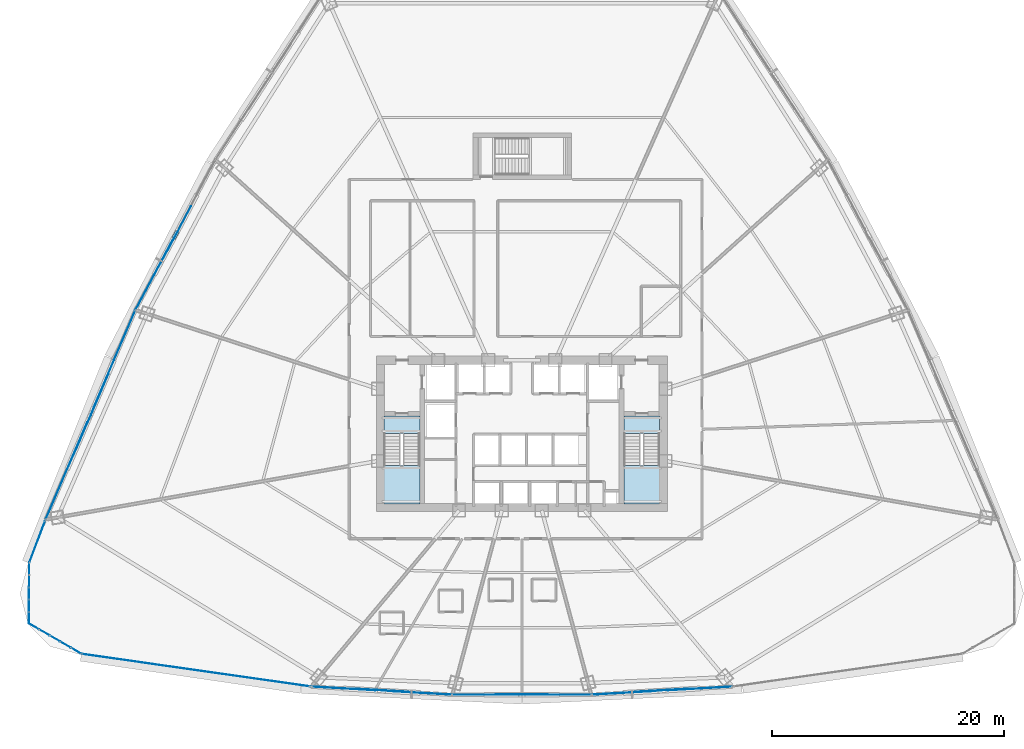
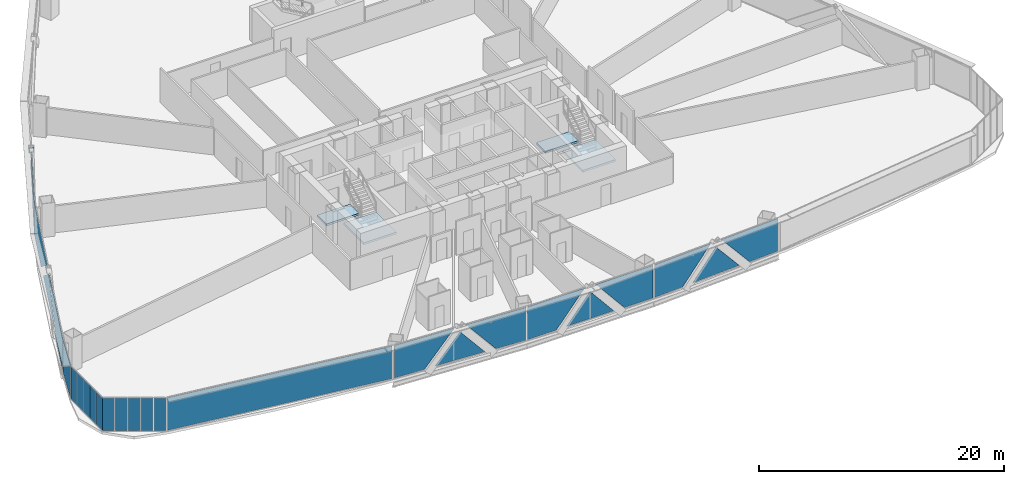
# One storey, part 28 of 40: 27 plates, 4 slabs, 11 elements without a shape of their own.
"""IFC4 building model written with IfcOpenShell, lengths in metres."""

from ifc_helpers import new_model, si_unit, direction, frame, origin, origin_2d, place, context, subcontext, project, spatial, polyline, rectangle, outline, extrude, source, transform, mapped, material, layer, layer_set, type_object, element, aggregate, save


model = new_model("IFC4")

# Units and contexts
model_context = context("Model", 3, precision=1e-05, world=origin(), true_north=direction((0.0, 1.0)))
body_context = subcontext(model_context, "Body", "Model", "MODEL_VIEW")
ifc_project = project(units=[si_unit("LENGTHUNIT", "METRE"), si_unit("AREAUNIT", "SQUARE_METRE"), si_unit("VOLUMEUNIT", "CUBIC_METRE"), si_unit("PLANEANGLEUNIT", "RADIAN"), si_unit("MASSUNIT", "GRAM", prefix="KILO"), si_unit("THERMODYNAMICTEMPERATUREUNIT", "KELVIN"), si_unit("POWERUNIT", "WATT")], contexts=[model_context])

# Site, building, storey
site_placement = place(None, origin())
site = spatial("IfcSite", under=ifc_project, at=site_placement, CompositionType="ELEMENT")
building_placement = place(site_placement, origin())
building = spatial("IfcBuilding", under=site, at=building_placement, Name="Yunzhuo Pagoda Commons", CompositionType="ELEMENT")
storey_placement = place(building_placement, frame((0.0, 0.0, 66.699951171875)))
storey = spatial("IfcBuildingStorey", under=building, at=storey_placement, Name="L17", CompositionType="ELEMENT", Elevation=66.699951171875)

# Curtain wall, plates
ifc_material_1 = material(Name="Anodized aluminium 6063-T6", Category="aluminium")
ifc_layer_1 = layer(ifc_material_1, 0.1650390625)
ifc_layer_set_1 = layer_set([ifc_layer_1], Name="Anodized aluminium 6063-T6")
curtain_wall_type_1 = type_object("IfcCurtainWallType", Name="CW-LOW Low-Zone Ribbon Curtain Wall", PredefinedType="NOTDEFINED", material=ifc_layer_set_1)
curtain_wall_1_placement = place(storey_placement, origin())
curtain_wall_1 = element("IfcCurtainWall", 1, at=curtain_wall_1_placement, inside=storey, type_object=curtain_wall_type_1, Name="L17 curtain wall CW-L17-F1B2", PredefinedType="NOTDEFINED")
ifc_material_2 = material(Name="Tempered low-e double glazing", Category="glass")
ifc_layer_2 = layer(ifc_material_2, 0.028076171875)
ifc_layer_set_2 = layer_set([ifc_layer_2], Name="Tempered low-e double glazing")
plate_type_1 = type_object("IfcPlateType", Name="CW-LOW-P Low-E Double Glazing 28", PredefinedType="CURTAIN_PANEL", material=ifc_layer_set_2)
plate_1_placement = place(storey_placement, frame((32.631103515625, 11.892333984375, 1.68505859375), z_axis=(-0.057542190557, -0.998343075454, 0.0), x_axis=(0.998343075454, -0.057542190557, 0.0)))
plate_1 = element("IfcPlate", 2, at=plate_1_placement, type_object=plate_type_1, Name="CW panel 1.1 lite 1", PredefinedType="CURTAIN_PANEL", context=body_context, shape_type="SweptSolid", body=[
    extrude(outline(polyline([(-2.744873046875, -1.625), (0.013427734375, -1.625), (2.744873046875, 1.625), (-2.744873046875, 1.625), (-2.744873046875, -1.625)])), origin(), (0.0, 0.0, 1.0), 0.028076171875),
])
plate_2_placement = place(storey_placement, frame((35.9189453125, 11.73291015625, 1.419677734375), z_axis=(-0.057542190557, -0.998343075454, 0.0), x_axis=(0.998343075454, -0.057542190557, 0.0)))
plate_2 = element("IfcPlate", 3, at=plate_2_placement, type_object=plate_type_1, Name="CW panel 1.1 lite 2", PredefinedType="CURTAIN_PANEL", context=body_context, shape_type="SweptSolid", body=[
    extrude(outline(polyline([(-2.285400390625, -1.359619140625), (2.285400390625, -1.359619140625), (0.0, 1.359619140625), (-2.285400390625, -1.359619140625)])), origin(), (0.0, 0.0, 1.0), 0.028076171875),
])
plate_3_placement = place(storey_placement, frame((39.20361328125, 11.513427734375, 1.68505859375), z_axis=(-0.057542190557, -0.998343075454, 0.0), x_axis=(0.998343075454, -0.057542190557, 0.0)))
plate_3 = element("IfcPlate", 4, at=plate_3_placement, type_object=plate_type_1, Name="CW panel 1.1 lite 3", PredefinedType="CURTAIN_PANEL", context=body_context, shape_type="SweptSolid", body=[
    extrude(outline(polyline([(-2.744873046875, 1.625), (-0.013427734375, -1.625), (2.744873046875, -1.625), (2.744873046875, 1.625), (-2.744873046875, 1.625)])), origin(), (0.0, 0.0, 1.0), 0.028076171875),
])
aggregate(curtain_wall_1, [plate_1, plate_2, plate_3])

curtain_wall_2_placement = place(storey_placement, origin())
curtain_wall_2 = element("IfcCurtainWall", 5, at=curtain_wall_2_placement, inside=storey, type_object=curtain_wall_type_1, Name="L17 curtain wall CW-L17-F1B3", PredefinedType="NOTDEFINED")
plate_4_placement = place(storey_placement, frame((44.765380859375, 11.35205078125, 1.68505859375), z_axis=(0.0, -1.0, 0.0), x_axis=(1.0, 0.0, 0.0)))
plate_4 = element("IfcPlate", 6, at=plate_4_placement, type_object=plate_type_1, Name="CW panel 1.1 lite 1", PredefinedType="CURTAIN_PANEL", context=body_context, shape_type="SweptSolid", body=[
    extrude(outline(polyline([(-2.6923828125, -1.625), (0.010009765625, -1.625), (2.6923828125, 1.625), (-2.6923828125, 1.625), (-2.6923828125, -1.625)])), origin(), (0.0, 0.0, 1.0), 0.028076171875),
])
plate_5_placement = place(storey_placement, frame((48.0, 11.3818359375, 1.41650390625), z_axis=(0.0, -1.0, 0.0), x_axis=(1.0, 0.0, 0.0)))
plate_5 = element("IfcPlate", 7, at=plate_5_placement, type_object=plate_type_1, Name="CW panel 1.1 lite 2", PredefinedType="CURTAIN_PANEL", context=body_context, shape_type="SweptSolid", body=[
    extrude(outline(polyline([(-2.2392578125, -1.3564453125), (2.2392578125, -1.3564453125), (0.0, 1.3564453125), (-2.2392578125, -1.3564453125)])), origin(), (0.0, 0.0, 1.0), 0.028076171875),
])
plate_6_placement = place(storey_placement, frame((51.234619140625, 11.35205078125, 1.68505859375), z_axis=(0.0, -1.0, 0.0), x_axis=(1.0, 0.0, 0.0)))
plate_6 = element("IfcPlate", 8, at=plate_6_placement, type_object=plate_type_1, Name="CW panel 1.1 lite 3", PredefinedType="CURTAIN_PANEL", context=body_context, shape_type="SweptSolid", body=[
    extrude(outline(polyline([(-2.6923828125, 1.625), (-0.010009765625, -1.625), (2.6923828125, -1.625), (2.6923828125, 1.625), (-2.6923828125, 1.625)])), origin(), (0.0, 0.0, 1.0), 0.028076171875),
])
aggregate(curtain_wall_2, [plate_4, plate_5, plate_6])

curtain_wall_3_placement = place(storey_placement, origin())
curtain_wall_3 = element("IfcCurtainWall", 9, at=curtain_wall_3_placement, inside=storey, type_object=curtain_wall_type_1, Name="L17 curtain wall CW-L17-F1B4", PredefinedType="NOTDEFINED")
plate_7_placement = place(storey_placement, frame((56.79638671875, 11.513427734375, 1.68505859375), z_axis=(0.057542190557, -0.998343075454, 0.0), x_axis=(0.998343075454, 0.057542190557, 0.0)))
plate_7 = element("IfcPlate", 10, at=plate_7_placement, type_object=plate_type_1, Name="CW panel 1.1 lite 1", PredefinedType="CURTAIN_PANEL", context=body_context, shape_type="SweptSolid", body=[
    extrude(outline(polyline([(-2.744873046875, -1.625), (0.013427734375, -1.625), (2.744873046875, 1.625), (-2.744873046875, 1.625), (-2.744873046875, -1.625)])), origin(), (0.0, 0.0, 1.0), 0.028076171875),
])
plate_8_placement = place(storey_placement, frame((60.080810546875, 11.732666015625, 1.419677734375), z_axis=(0.057542190557, -0.998343075454, 0.0), x_axis=(0.998343075454, 0.057542190557, 0.0)))
plate_8 = element("IfcPlate", 11, at=plate_8_placement, type_object=plate_type_1, Name="CW panel 1.1 lite 2", PredefinedType="CURTAIN_PANEL", context=body_context, shape_type="SweptSolid", body=[
    extrude(outline(polyline([(-2.285400390625, -1.359619140625), (2.285400390625, -1.359619140625), (0.0, 1.359619140625), (-2.285400390625, -1.359619140625)])), origin(), (0.0, 0.0, 1.0), 0.028076171875),
])
plate_9_placement = place(storey_placement, frame((63.368896484375, 11.892333984375, 1.68505859375), z_axis=(0.057542190557, -0.998343075454, 0.0), x_axis=(0.998343075454, 0.057542190557, 0.0)))
plate_9 = element("IfcPlate", 12, at=plate_9_placement, type_object=plate_type_1, Name="CW panel 1.1 lite 3", PredefinedType="CURTAIN_PANEL", context=body_context, shape_type="SweptSolid", body=[
    extrude(outline(polyline([(-2.744873046875, 1.625), (-0.013427734375, -1.625), (2.744873046875, -1.625), (2.744873046875, 1.625), (-2.744873046875, 1.625)])), origin(), (0.0, 0.0, 1.0), 0.028076171875),
])
aggregate(curtain_wall_3, [plate_7, plate_8, plate_9])

curtain_wall_4_placement = place(storey_placement, origin())
curtain_wall_4 = element("IfcCurtainWall", 13, at=curtain_wall_4_placement, inside=storey, type_object=curtain_wall_type_1, Name="L17 curtain wall CW-L17-F3B3", PredefinedType="NOTDEFINED")
plate_10_placement = place(storey_placement, frame((18.157470703125, 50.9931640625, 1.447998046875), z_axis=(-0.882636758547, 0.470055690808, 0.0), x_axis=(-0.470055690808, -0.882636758547, 0.0)))
plate_10 = element("IfcPlate", 14, at=plate_10_placement, type_object=plate_type_1, Name="CW panel 1.1 lite 2", PredefinedType="CURTAIN_PANEL", context=body_context, shape_type="SweptSolid", body=[
    extrude(outline(polyline([(-2.80810546875, -1.387939453125), (2.80810546875, -1.387939453125), (0.0, 1.387939453125), (-2.80810546875, -1.387939453125)])), origin(), (0.0, 0.0, 1.0), 0.028076171875),
])
plate_11_placement = place(storey_placement, frame((16.278564453125, 47.529052734375, 1.68505859375), z_axis=(-0.882636758547, 0.470055690808, 0.0), x_axis=(-0.470055690808, -0.882636758547, 0.0)))
plate_11 = element("IfcPlate", 15, at=plate_11_placement, type_object=plate_type_1, Name="CW panel 1.1 lite 3", PredefinedType="CURTAIN_PANEL", context=body_context, shape_type="SweptSolid", body=[
    extrude(outline(polyline([(-3.33935546875, 1.625), (-0.05126953125, -1.625), (3.33935546875, -1.625), (3.33935546875, 1.625), (-3.33935546875, 1.625)])), origin(), (0.0, 0.0, 1.0), 0.028076171875),
])
aggregate(curtain_wall_4, [plate_10, plate_11])

curtain_wall_5_placement = place(storey_placement, origin())
curtain_wall_5 = element("IfcCurtainWall", 16, at=curtain_wall_5_placement, inside=storey, type_object=curtain_wall_type_1, Name="L17 curtain wall CW-L17-F3B4", PredefinedType="NOTDEFINED")
plate_12_placement = place(storey_placement, frame((12.87109375, 40.30810546875, 1.68505859375), z_axis=(-0.919121093161, 0.39397514656, 0.0), x_axis=(-0.39397514656, -0.919121093161, 0.0)))
plate_12 = element("IfcPlate", 17, at=plate_12_placement, type_object=plate_type_1, Name="CW panel 1.1 lite 1", PredefinedType="CURTAIN_PANEL", context=body_context, shape_type="SweptSolid", body=[
    extrude(outline(polyline([(-4.523193359375, -1.625), (0.12158203125, -1.625), (4.523193359375, 1.625), (-4.523193359375, 1.625), (-4.523193359375, -1.625)])), origin(), (0.0, 0.0, 1.0), 0.028076171875),
])
plate_13_placement = place(storey_placement, frame((10.83251953125, 35.47607421875, 1.478759765625), z_axis=(-0.919121093161, 0.39397514656, 0.0), x_axis=(-0.39397514656, -0.919121093161, 0.0)))
plate_13 = element("IfcPlate", 18, at=plate_13_placement, type_object=plate_type_1, Name="CW panel 1.1 lite 2", PredefinedType="CURTAIN_PANEL", context=body_context, shape_type="SweptSolid", body=[
    extrude(outline(polyline([(-3.84326171875, -1.418701171875), (3.84326171875, -1.418701171875), (0.0, 1.418701171875), (-3.84326171875, -1.418701171875)])), origin(), (0.0, 0.0, 1.0), 0.028076171875),
])
plate_14_placement = place(storey_placement, frame((8.739013671875, 30.667724609375, 1.68505859375), z_axis=(-0.919121093161, 0.39397514656, 0.0), x_axis=(-0.39397514656, -0.919121093161, 0.0)))
plate_14 = element("IfcPlate", 19, at=plate_14_placement, type_object=plate_type_1, Name="CW panel 1.1 lite 3", PredefinedType="CURTAIN_PANEL", context=body_context, shape_type="SweptSolid", body=[
    extrude(outline(polyline([(-4.523193359375, 1.625), (-0.12158203125, -1.625), (4.523193359375, -1.625), (4.523193359375, 1.625), (-4.523193359375, 1.625)])), origin(), (0.0, 0.0, 1.0), 0.028076171875),
])
aggregate(curtain_wall_5, [plate_12, plate_13, plate_14])

# Stair, slabs
ifc_material_3 = material(Name="Concrete C40", Category="concrete")
stair_type_1 = type_object("IfcStairType", Name="ST-C1 Core Smokeproof Stair ST1", PredefinedType="HALF_TURN_STAIR", material=ifc_material_3)
stair_1_placement = place(storey_placement, origin())
stair_1 = element("IfcStair", 20, at=stair_1_placement, inside=storey, type_object=stair_type_1, Name="L17 Core smokeproof stair ST1", PredefinedType="HALF_TURN_STAIR")
ifc_layer_3 = layer(ifc_material_3, 0.199951171875)
ifc_layer_set_3 = layer_set([ifc_layer_3], Name="Concrete C40")
slab_type_1 = type_object("IfcSlabType", Name="SL-LND1 Stair Landing Slab 200", PredefinedType="LANDING", material=ifc_layer_set_3)
slab_1_placement = place(storey_placement, frame((0.0, 0.0, 1.614990234375)))
slab_1 = element("IfcSlab", 21, at=slab_1_placement, type_object=slab_type_1, Name="ST1 landing 1", PredefinedType="LANDING", context=body_context, shape_type="SweptSolid", body=[
    extrude(outline(polyline([(36.10009765625, 31.10009765625), (36.10009765625, 27.800048828125), (39.199951171875, 27.800048828125), (39.199951171875, 31.10009765625), (36.10009765625, 31.10009765625)])), origin(), (0.0, 0.0, 1.0), 0.199951171875),
])
slab_2_placement = place(storey_placement, frame((0.0, 0.0, -0.199951171875)))
slab_2 = element("IfcSlab", 22, at=slab_2_placement, type_object=slab_type_1, Name="ST1 floor landing L17", PredefinedType="LANDING", context=body_context, shape_type="SweptSolid", body=[
    extrude(outline(polyline([(36.10009765625, 35.39990234375), (36.10009765625, 33.89990234375), (39.199951171875, 33.89990234375), (39.199951171875, 35.39990234375), (36.10009765625, 35.39990234375)])), origin(), (0.0, 0.0, 1.0), 0.199951171875),
])
aggregate(stair_1, [slab_1, slab_2])

stair_type_2 = type_object("IfcStairType", Name="ST-C2 Core Smokeproof Stair ST2", PredefinedType="HALF_TURN_STAIR", material=ifc_material_3)
stair_2_placement = place(storey_placement, origin())
stair_2 = element("IfcStair", 23, at=stair_2_placement, inside=storey, type_object=stair_type_2, Name="L17 Core smokeproof stair ST2", PredefinedType="HALF_TURN_STAIR")
ifc_layer_4 = layer(ifc_material_3, 0.201904296875)
ifc_layer_set_4 = layer_set([ifc_layer_4], Name="Concrete C40")
slab_type_2 = type_object("IfcSlabType", Name="SL-LND2 Stair Landing Slab 202", PredefinedType="LANDING", material=ifc_layer_set_4)
slab_3_placement = place(storey_placement, frame((0.0, 0.0, 1.614990234375)))
slab_3 = element("IfcSlab", 24, at=slab_3_placement, type_object=slab_type_2, Name="ST2 landing 1", PredefinedType="LANDING", context=body_context, shape_type="SweptSolid", body=[
    extrude(outline(polyline([(56.800048828125, 31.10009765625), (56.800048828125, 27.800048828125), (59.89990234375, 27.800048828125), (59.89990234375, 31.10009765625), (56.800048828125, 31.10009765625)])), origin(), (0.0, 0.0, 1.0), 0.199951171875),
])
slab_4_placement = place(storey_placement, frame((0.0, 0.0, -0.199951171875)))
slab_4 = element("IfcSlab", 25, at=slab_4_placement, type_object=slab_type_2, Name="ST2 floor landing L17", PredefinedType="LANDING", context=body_context, shape_type="SweptSolid", body=[
    extrude(outline(polyline([(56.800048828125, 35.39990234375), (56.800048828125, 33.89990234375), (59.89990234375, 33.89990234375), (59.89990234375, 35.39990234375), (56.800048828125, 35.39990234375)])), origin(), (0.0, 0.0, 1.0), 0.199951171875),
])
aggregate(stair_2, [slab_3, slab_4])

# Plate
ifc_material_4 = material(Name="Structural steel Q355B", Category="steel")
ifc_layer_5 = layer(ifc_material_4, 0.028076171875)
ifc_layer_set_5 = layer_set([ifc_layer_5], Name="Structural steel Q355B")
plate_type_2 = type_object("IfcPlateType", Name="SP-ND1 Lattice Node Cap Plate 800x500x28", PredefinedType="USERDEFINED", material=ifc_layer_set_5)
shared_shape_1 = source(origin(), body_context, "Body", "SweptSolid", [
    extrude(rectangle(XDim=0.699951171875, YDim=0.35009765625, at=origin_2d()), origin(), (0.0, 0.0, 1.0), 0.035888671875),
])
plate_15_placement = place(storey_placement, frame((18.118408203125, 51.013916015625, 3.33203125), z_axis=(0.0, 0.0, 1.0), x_axis=(-0.47005705251, -0.88263603336, 0.0)))
element("IfcPlate", 26, at=plate_15_placement, inside=storey, type_object=plate_type_2, Name="L17 setback lattice tie plate F3.2L", ObjectType="STIFFENER_PLATE", PredefinedType="USERDEFINED", context=body_context, shape_type="MappedRepresentation", body=[
    mapped(shared_shape_1, transform((0.0, 0.0, 0.0), scale=1.0)),
])

# Curtain wall, plate
curtain_wall_6_placement = place(storey_placement, origin())
curtain_wall_6 = element("IfcCurtainWall", 27, at=curtain_wall_6_placement, inside=storey, type_object=curtain_wall_type_1, Name="L17 curtain wall CW-L17-F1B1", PredefinedType="NOTDEFINED")
shared_shape_2 = source(origin(), body_context, "Body", "SweptSolid", [
    extrude(rectangle(XDim=19.814697265625, YDim=0.028076171875, at=origin_2d()), origin(), (0.0, 0.0, 1.0), 3.25),
])
plate_16_placement = place(storey_placement, frame((19.87841796875, 13.4580078125, 0.06005859375), z_axis=(0.0, 0.0, 1.0), x_axis=(0.989989664719, -0.141139872999, 0.0)))
plate_16 = element("IfcPlate", 28, at=plate_16_placement, type_object=plate_type_1, Name="CW panel 1.1", PredefinedType="CURTAIN_PANEL", context=body_context, shape_type="MappedRepresentation", body=[
    mapped(shared_shape_2, transform((0.0, 0.0, 0.0), scale=1.0)),
])
aggregate(curtain_wall_6, [plate_16])

curtain_wall_7_placement = place(storey_placement, origin())
curtain_wall_7 = element("IfcCurtainWall", 29, at=curtain_wall_7_placement, inside=storey, type_object=curtain_wall_type_1, Name="L17 curtain wall CW-L17-F3B5", PredefinedType="NOTDEFINED")
shared_shape_3 = source(origin(), body_context, "Body", "SweptSolid", [
    extrude(rectangle(XDim=3.80126953125, YDim=0.028076171875, at=origin_2d()), origin(), (0.0, 0.0, 1.0), 3.25),
])
plate_17_placement = place(storey_placement, frame((6.197265625, 24.547119140625, 0.06005859375), z_axis=(0.0, 0.0, 1.0), x_axis=(-0.353291245367, -0.9355133863, 0.0)))
plate_17 = element("IfcPlate", 30, at=plate_17_placement, type_object=plate_type_1, Name="CW panel 1.1", PredefinedType="CURTAIN_PANEL", context=body_context, shape_type="MappedRepresentation", body=[
    mapped(shared_shape_3, transform((0.0, 0.0, 0.0), scale=1.0)),
])
aggregate(curtain_wall_7, [plate_17])

# Curtain wall, plates
ifc_layer_6 = layer(ifc_material_1, 0.1298828125)
ifc_layer_set_6 = layer_set([ifc_layer_6], Name="Anodized aluminium 6063-T6")
curtain_wall_type_2 = type_object("IfcCurtainWallType", Name="CW-VTX Rounded Corner Curtain Wall", PredefinedType="NOTDEFINED", material=ifc_layer_set_6)
curtain_wall_8_placement = place(storey_placement, origin())
curtain_wall_8 = element("IfcCurtainWall", 31, at=curtain_wall_8_placement, inside=storey, type_object=curtain_wall_type_2, Name="L17 curtain wall CW-L17-VTX1S1", PredefinedType="NOTDEFINED")
ifc_layer_7 = layer(ifc_material_2, 0.02587890625)
ifc_layer_set_7 = layer_set([ifc_layer_7], Name="Tempered low-e double glazing")
plate_type_3 = type_object("IfcPlateType", Name="CW-VTX-P Low-E Double Glazing 26", PredefinedType="CURTAIN_PANEL", material=ifc_layer_set_7)
shared_shape_4 = source(origin(), body_context, "Body", "SweptSolid", [
    extrude(rectangle(XDim=0.9716796875, YDim=0.028076171875, at=origin_2d()), origin(), (0.0, 0.0, 1.0), 3.260009765625),
])
plate_18_placement = place(storey_placement, frame((5.5009765625, 22.167236328125, 0.05517578125), z_axis=(0.0, 0.0, 1.0), x_axis=(-0.003585566294, -0.999993571837, 0.0)))
plate_18 = element("IfcPlate", 32, at=plate_18_placement, type_object=plate_type_3, Name="CW panel 1.1", PredefinedType="CURTAIN_PANEL", context=body_context, shape_type="MappedRepresentation", body=[
    mapped(shared_shape_4, transform((0.0, 0.0, 0.0), scale=1.0)),
])
plate_19_placement = place(storey_placement, frame((5.48583984375, 17.97802734375, 0.05517578125), z_axis=(0.0, 0.0, 1.0), x_axis=(-0.003585566294, -0.999993571837, 0.0)))
plate_19 = element("IfcPlate", 33, at=plate_19_placement, type_object=plate_type_3, Name="CW panel 5.1", PredefinedType="CURTAIN_PANEL", context=body_context, shape_type="MappedRepresentation", body=[
    mapped(shared_shape_4, transform((0.0, 0.0, 0.0), scale=1.0)),
])

curtain_wall_9_placement = place(storey_placement, origin())
curtain_wall_9 = element("IfcCurtainWall", 34, at=curtain_wall_9_placement, inside=storey, type_object=curtain_wall_type_2, Name="L17 curtain wall CW-L17-VTX1S2", PredefinedType="NOTDEFINED")
plate_20_placement = place(storey_placement, frame((5.912109375, 17.235595703125, 0.05517578125), z_axis=(0.0, 0.0, 1.0), x_axis=(0.865424986596, -0.501038514064, 0.0)))
plate_20 = element("IfcPlate", 35, at=plate_20_placement, type_object=plate_type_3, Name="CW panel 1.1", PredefinedType="CURTAIN_PANEL", context=body_context, shape_type="MappedRepresentation", body=[
    mapped(shared_shape_4, transform((0.0, 0.0, 0.0), scale=1.0)),
])
plate_21_placement = place(storey_placement, frame((9.537841796875, 15.136474609375, 0.05517578125), z_axis=(0.0, 0.0, 1.0), x_axis=(0.865424986596, -0.501038514064, 0.0)))
plate_21 = element("IfcPlate", 36, at=plate_21_placement, type_object=plate_type_3, Name="CW panel 5.1", PredefinedType="CURTAIN_PANEL", context=body_context, shape_type="MappedRepresentation", body=[
    mapped(shared_shape_4, transform((0.0, 0.0, 0.0), scale=1.0)),
])

# Plate
shared_shape_5 = source(origin(), body_context, "Body", "SweptSolid", [
    extrude(rectangle(XDim=0.999267578125, YDim=0.028076171875, at=origin_2d()), origin(), (0.0, 0.0, 1.0), 3.260009765625),
])
plate_22_placement = place(storey_placement, frame((5.497314453125, 21.126953125, 0.05517578125), z_axis=(0.0, 0.0, 1.0), x_axis=(-0.003585566294, -0.999993571837, 0.0)))
plate_22 = element("IfcPlate", 37, at=plate_22_placement, type_object=plate_type_3, Name="CW panel 2.1", PredefinedType="CURTAIN_PANEL", context=body_context, shape_type="MappedRepresentation", body=[
    mapped(shared_shape_5, transform((0.0, 0.0, 0.0), scale=1.0)),
])

plate_23_placement = place(storey_placement, frame((5.493408203125, 20.07275390625, 0.05517578125), z_axis=(0.0, 0.0, 1.0), x_axis=(-0.003585566294, -0.999993571837, 0.0)))
plate_23 = element("IfcPlate", 38, at=plate_23_placement, type_object=plate_type_3, Name="CW panel 3.1", PredefinedType="CURTAIN_PANEL", context=body_context, shape_type="MappedRepresentation", body=[
    mapped(shared_shape_5, transform((0.0, 0.0, 0.0), scale=1.0)),
])

plate_24_placement = place(storey_placement, frame((5.48974609375, 19.018310546875, 0.05517578125), z_axis=(0.0, 0.0, 1.0), x_axis=(-0.003585566294, -0.999993571837, 0.0)))
plate_24 = element("IfcPlate", 39, at=plate_24_placement, type_object=plate_type_3, Name="CW panel 4.1", PredefinedType="CURTAIN_PANEL", context=body_context, shape_type="MappedRepresentation", body=[
    mapped(shared_shape_5, transform((0.0, 0.0, 0.0), scale=1.0)),
])

aggregate(curtain_wall_8, [plate_18, plate_22, plate_23, plate_24, plate_19])

plate_25_placement = place(storey_placement, frame((6.8125, 16.71435546875, 0.05517578125), z_axis=(0.0, 0.0, 1.0), x_axis=(0.865424986596, -0.501038514064, 0.0)))
plate_25 = element("IfcPlate", 40, at=plate_25_placement, type_object=plate_type_3, Name="CW panel 2.1", PredefinedType="CURTAIN_PANEL", context=body_context, shape_type="MappedRepresentation", body=[
    mapped(shared_shape_5, transform((0.0, 0.0, 0.0), scale=1.0)),
])

plate_26_placement = place(storey_placement, frame((7.724853515625, 16.18603515625, 0.05517578125), z_axis=(0.0, 0.0, 1.0), x_axis=(0.865424986596, -0.501038514064, 0.0)))
plate_26 = element("IfcPlate", 41, at=plate_26_placement, type_object=plate_type_3, Name="CW panel 3.1", PredefinedType="CURTAIN_PANEL", context=body_context, shape_type="MappedRepresentation", body=[
    mapped(shared_shape_5, transform((0.0, 0.0, 0.0), scale=1.0)),
])

plate_27_placement = place(storey_placement, frame((8.63720703125, 15.657958984375, 0.05517578125), z_axis=(0.0, 0.0, 1.0), x_axis=(0.865424986596, -0.501038514064, 0.0)))
plate_27 = element("IfcPlate", 42, at=plate_27_placement, type_object=plate_type_3, Name="CW panel 4.1", PredefinedType="CURTAIN_PANEL", context=body_context, shape_type="MappedRepresentation", body=[
    mapped(shared_shape_5, transform((0.0, 0.0, 0.0), scale=1.0)),
])

aggregate(curtain_wall_9, [plate_20, plate_25, plate_26, plate_27, plate_21])

save(model, "model.ifc")
